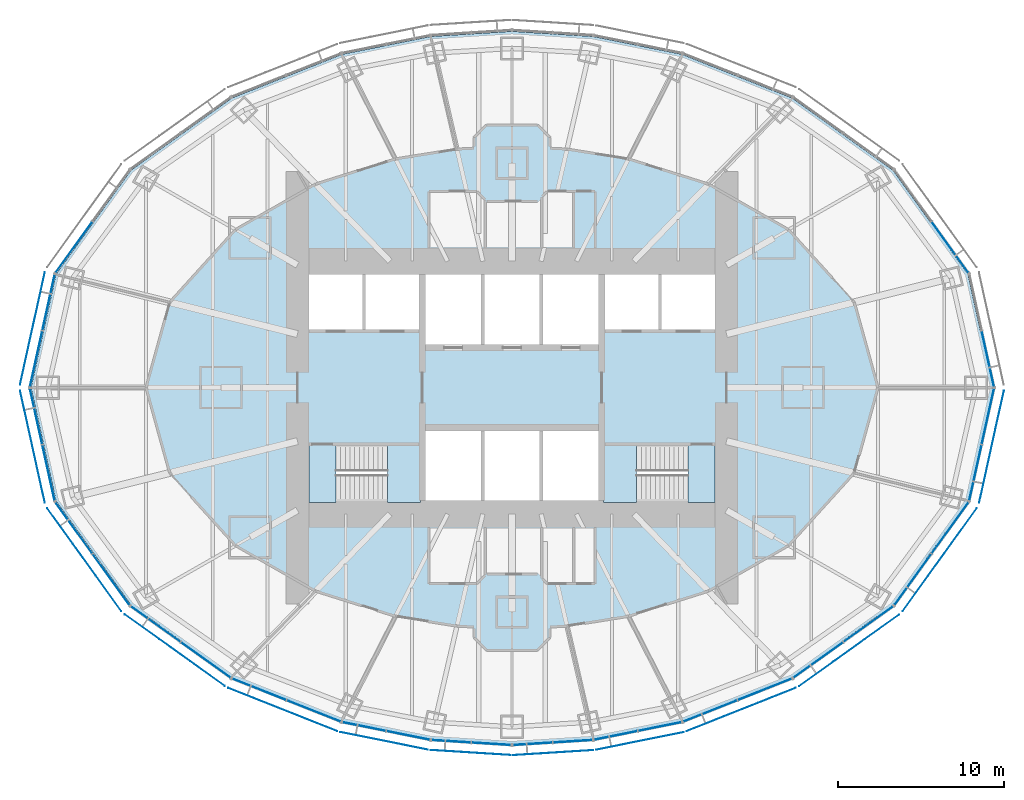
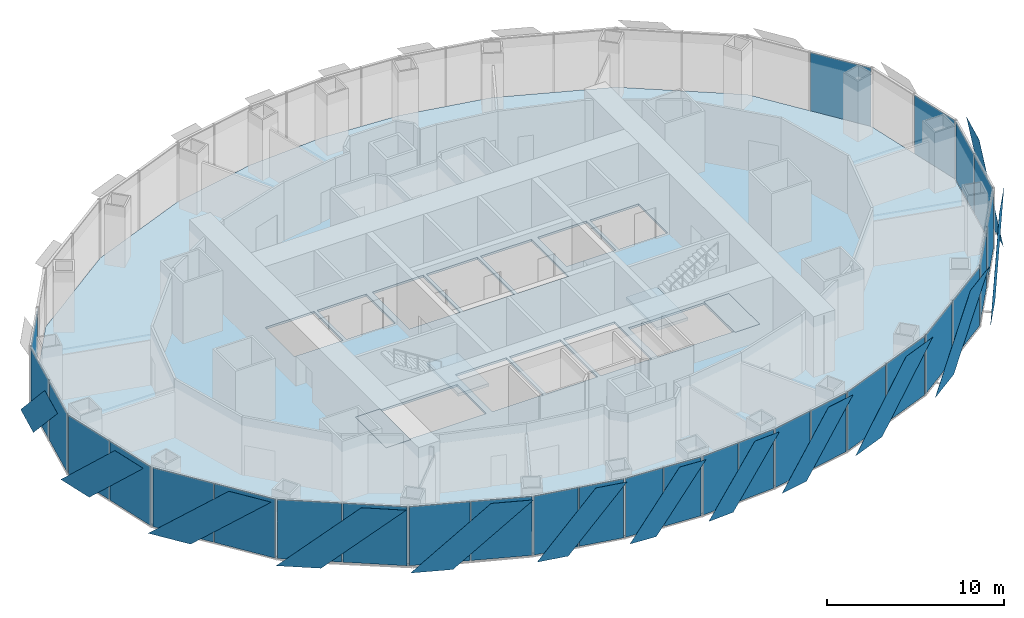
# One storey, part 9 of 18: 42 plates, 5 slabs, 18 elements without a shape of their own.
"""IFC4 building model written with IfcOpenShell, lengths in metres."""

from ifc_helpers import new_model, si_unit, direction, frame, origin, origin_2d, place, context, subcontext, project, spatial, polyline, rectangle, outline, extrude, material, layer, layer_set, type_object, element, aggregate, save


model = new_model("IFC4")

# Units and contexts
model_context = context("Model", 3, precision=1e-05, world=origin(), true_north=direction((0.0, 1.0)))
body_context = subcontext(model_context, "Body", "Model", "MODEL_VIEW")
ifc_project = project(units=[si_unit("LENGTHUNIT", "METRE"), si_unit("AREAUNIT", "SQUARE_METRE"), si_unit("VOLUMEUNIT", "CUBIC_METRE"), si_unit("PLANEANGLEUNIT", "RADIAN"), si_unit("MASSUNIT", "GRAM", prefix="KILO")], contexts=[model_context])

# Site, building, storey
site_placement = place(None, origin())
site = spatial("IfcSite", under=ifc_project, at=site_placement, CompositionType="ELEMENT")
building_placement = place(site_placement, origin())
building = spatial("IfcBuilding", under=site, at=building_placement, Name="Lantaw Convention Tower", CompositionType="ELEMENT")
storey_placement = place(building_placement, frame((0.0, 0.0, 167.800048828125)))
storey = spatial("IfcBuildingStorey", under=building, at=storey_placement, Name="L39", CompositionType="ELEMENT", Elevation=167.800048828125)

# Curtain wall, plate
ifc_material_1 = material(Name="Aluminium framed curtain wall", Category="aluminium")
curtain_wall_type = type_object("IfcCurtainWallType", Name="Office curtain wall low rise, pale aluminium", PredefinedType="USERDEFINED", material=ifc_material_1)
curtain_wall_1_placement = place(storey_placement, origin())
curtain_wall_1 = element("IfcCurtainWall", 1, at=curtain_wall_1_placement, inside=storey, type_object=curtain_wall_type, Name="Office curtain wall low rise, pale aluminium L39", ObjectType="UNITISED CURTAIN WALL", PredefinedType="USERDEFINED")
ifc_material_2 = material(Name="Clear insulating glass", Category="glass")
ifc_layer_1 = layer(ifc_material_2, 0.028076171875)
ifc_layer_set_1 = layer_set([ifc_layer_1], Name="CW-O1 panel 28")
plate_type_1 = type_object("IfcPlateType", Name="CW-O1 panel 28", PredefinedType="CURTAIN_PANEL", material=ifc_layer_set_1)
plate_1_placement = place(storey_placement, frame((28.618408203125, 1.729248046875, -0.0849609375), z_axis=(0.0, 0.0, 1.0), x_axis=(-0.215546166174, 0.9764936509, 0.0)))
plate_1 = element("IfcPlate", 2, at=plate_1_placement, type_object=plate_type_1, Name="CW-O1 panel 1.1", PredefinedType="CURTAIN_PANEL", context=body_context, shape_type="SweptSolid", body=[
    extrude(rectangle(XDim=3.41162109375, YDim=0.028076171875, at=origin_2d()), origin(), (0.0, 0.0, 1.0), 4.070068359375),
])
aggregate(curtain_wall_1, [plate_1])

curtain_wall_2_placement = place(storey_placement, origin())
curtain_wall_2 = element("IfcCurtainWall", 3, at=curtain_wall_2_placement, inside=storey, type_object=curtain_wall_type, Name="Office curtain wall low rise, pale aluminium L39", ObjectType="UNITISED CURTAIN WALL", PredefinedType="USERDEFINED")
plate_2_placement = place(storey_placement, frame((26.34814453125, 8.4345703125, -0.0849609375), z_axis=(0.0, 0.0, 1.0), x_axis=(-0.584512597221, 0.811384633629, 0.0)))
plate_2 = element("IfcPlate", 4, at=plate_2_placement, type_object=plate_type_1, Name="CW-O1 panel 1.1", PredefinedType="CURTAIN_PANEL", context=body_context, shape_type="SweptSolid", body=[
    extrude(rectangle(XDim=3.767333984375, YDim=0.028076171875, at=origin_2d()), origin(), (0.0, 0.0, 1.0), 4.070068359375),
])
aggregate(curtain_wall_2, [plate_2])

curtain_wall_3_placement = place(storey_placement, origin())
curtain_wall_3 = element("IfcCurtainWall", 5, at=curtain_wall_3_placement, inside=storey, type_object=curtain_wall_type, Name="Office curtain wall low rise, pale aluminium L39", ObjectType="UNITISED CURTAIN WALL", PredefinedType="USERDEFINED")
plate_3_placement = place(storey_placement, frame((-26.34814453125, 8.4345703125, -0.0849609375), z_axis=(0.0, 0.0, 1.0), x_axis=(-0.584512597221, -0.811384633629, 0.0)))
plate_3 = element("IfcPlate", 6, at=plate_3_placement, type_object=plate_type_1, Name="CW-O1 panel 2.1", PredefinedType="CURTAIN_PANEL", context=body_context, shape_type="SweptSolid", body=[
    extrude(rectangle(XDim=3.767333984375, YDim=0.028076171875, at=origin_2d()), origin(), (0.0, 0.0, 1.0), 4.070068359375),
])
aggregate(curtain_wall_3, [plate_3])

# Curtain wall, plates
curtain_wall_4_placement = place(storey_placement, origin())
curtain_wall_4 = element("IfcCurtainWall", 7, at=curtain_wall_4_placement, inside=storey, type_object=curtain_wall_type, Name="Office curtain wall low rise, pale aluminium L39", ObjectType="UNITISED CURTAIN WALL", PredefinedType="USERDEFINED")
plate_4_placement = place(storey_placement, frame((-27.868896484375, 5.1240234375, -0.0849609375), z_axis=(0.0, 0.0, 1.0), x_axis=(-0.215546166174, -0.9764936509, 0.0)))
plate_4 = element("IfcPlate", 8, at=plate_4_placement, type_object=plate_type_1, Name="CW-O1 panel 1.1", PredefinedType="CURTAIN_PANEL", context=body_context, shape_type="SweptSolid", body=[
    extrude(rectangle(XDim=3.41162109375, YDim=0.028076171875, at=origin_2d()), origin(), (0.0, 0.0, 1.0), 4.070068359375),
])
plate_5_placement = place(storey_placement, frame((-28.618408203125, 1.729248046875, -0.0849609375), z_axis=(0.0, 0.0, 1.0), x_axis=(-0.215546166174, -0.9764936509, 0.0)))
plate_5 = element("IfcPlate", 9, at=plate_5_placement, type_object=plate_type_1, Name="CW-O1 panel 2.1", PredefinedType="CURTAIN_PANEL", context=body_context, shape_type="SweptSolid", body=[
    extrude(rectangle(XDim=3.41162109375, YDim=0.028076171875, at=origin_2d()), origin(), (0.0, 0.0, 1.0), 4.070068359375),
])
aggregate(curtain_wall_4, [plate_4, plate_5])

curtain_wall_5_placement = place(storey_placement, origin())
curtain_wall_5 = element("IfcCurtainWall", 10, at=curtain_wall_5_placement, inside=storey, type_object=curtain_wall_type, Name="Office curtain wall low rise, pale aluminium L39", ObjectType="UNITISED CURTAIN WALL", PredefinedType="USERDEFINED")
plate_6_placement = place(storey_placement, frame((-28.618408203125, -1.729248046875, -0.0849609375), z_axis=(0.0, 0.0, 1.0), x_axis=(0.215546166174, -0.9764936509, 0.0)))
plate_6 = element("IfcPlate", 11, at=plate_6_placement, type_object=plate_type_1, Name="CW-O1 panel 1.1", PredefinedType="CURTAIN_PANEL", context=body_context, shape_type="SweptSolid", body=[
    extrude(rectangle(XDim=3.41162109375, YDim=0.028076171875, at=origin_2d()), origin(), (0.0, 0.0, 1.0), 4.070068359375),
])
plate_7_placement = place(storey_placement, frame((-27.868896484375, -5.1240234375, -0.0849609375), z_axis=(0.0, 0.0, 1.0), x_axis=(0.215546166174, -0.9764936509, 0.0)))
plate_7 = element("IfcPlate", 12, at=plate_7_placement, type_object=plate_type_1, Name="CW-O1 panel 2.1", PredefinedType="CURTAIN_PANEL", context=body_context, shape_type="SweptSolid", body=[
    extrude(rectangle(XDim=3.41162109375, YDim=0.028076171875, at=origin_2d()), origin(), (0.0, 0.0, 1.0), 4.070068359375),
])
aggregate(curtain_wall_5, [plate_6, plate_7])

curtain_wall_6_placement = place(storey_placement, origin())
curtain_wall_6 = element("IfcCurtainWall", 13, at=curtain_wall_6_placement, inside=storey, type_object=curtain_wall_type, Name="Office curtain wall low rise, pale aluminium L39", ObjectType="UNITISED CURTAIN WALL", PredefinedType="USERDEFINED")
plate_8_placement = place(storey_placement, frame((-26.34814453125, -8.4345703125, -0.0849609375), z_axis=(0.0, 0.0, 1.0), x_axis=(0.584512597221, -0.811384633629, 0.0)))
plate_8 = element("IfcPlate", 14, at=plate_8_placement, type_object=plate_type_1, Name="CW-O1 panel 1.1", PredefinedType="CURTAIN_PANEL", context=body_context, shape_type="SweptSolid", body=[
    extrude(rectangle(XDim=3.767333984375, YDim=0.028076171875, at=origin_2d()), origin(), (0.0, 0.0, 1.0), 4.070068359375),
])
plate_9_placement = place(storey_placement, frame((-24.108154296875, -11.5439453125, -0.0849609375), z_axis=(0.0, 0.0, 1.0), x_axis=(0.584512597221, -0.811384633629, 0.0)))
plate_9 = element("IfcPlate", 15, at=plate_9_placement, type_object=plate_type_1, Name="CW-O1 panel 2.1", PredefinedType="CURTAIN_PANEL", context=body_context, shape_type="SweptSolid", body=[
    extrude(rectangle(XDim=3.767333984375, YDim=0.028076171875, at=origin_2d()), origin(), (0.0, 0.0, 1.0), 4.070068359375),
])
aggregate(curtain_wall_6, [plate_8, plate_9])

curtain_wall_7_placement = place(storey_placement, origin())
curtain_wall_7 = element("IfcCurtainWall", 16, at=curtain_wall_7_placement, inside=storey, type_object=curtain_wall_type, Name="Office curtain wall low rise, pale aluminium L39", ObjectType="UNITISED CURTAIN WALL", PredefinedType="USERDEFINED")
plate_10_placement = place(storey_placement, frame((-21.43408203125, -14.2236328125, -0.0849609375), z_axis=(0.0, 0.0, 1.0), x_axis=(0.813208325995, -0.581972695693, 0.0)))
plate_10 = element("IfcPlate", 17, at=plate_10_placement, type_object=plate_type_1, Name="CW-O1 panel 1.1", PredefinedType="CURTAIN_PANEL", context=body_context, shape_type="SweptSolid", body=[
    extrude(rectangle(XDim=3.645263671875, YDim=0.028076171875, at=origin_2d()), origin(), (0.0, 0.0, 1.0), 4.070068359375),
])
plate_11_placement = place(storey_placement, frame((-18.416748046875, -16.383056640625, -0.0849609375), z_axis=(0.0, 0.0, 1.0), x_axis=(0.813208325995, -0.581972695693, 0.0)))
plate_11 = element("IfcPlate", 18, at=plate_11_placement, type_object=plate_type_1, Name="CW-O1 panel 2.1", PredefinedType="CURTAIN_PANEL", context=body_context, shape_type="SweptSolid", body=[
    extrude(rectangle(XDim=3.645263671875, YDim=0.028076171875, at=origin_2d()), origin(), (0.0, 0.0, 1.0), 4.070068359375),
])
aggregate(curtain_wall_7, [plate_10, plate_11])

curtain_wall_8_placement = place(storey_placement, origin())
curtain_wall_8 = element("IfcCurtainWall", 19, at=curtain_wall_8_placement, inside=storey, type_object=curtain_wall_type, Name="Office curtain wall low rise, pale aluminium L39", ObjectType="UNITISED CURTAIN WALL", PredefinedType="USERDEFINED")
plate_12_placement = place(storey_placement, frame((-15.208251953125, -18.145263671875, -0.0849609375), z_axis=(0.0, 0.0, 1.0), x_axis=(0.929547687544, -0.368701907483, 0.0)))
plate_12 = element("IfcPlate", 20, at=plate_12_placement, type_object=plate_type_1, Name="CW-O1 panel 1.1", PredefinedType="CURTAIN_PANEL", context=body_context, shape_type="SweptSolid", body=[
    extrude(rectangle(XDim=3.470703125, YDim=0.028076171875, at=origin_2d()), origin(), (0.0, 0.0, 1.0), 4.070068359375),
])
plate_13_placement = place(storey_placement, frame((-11.921630859375, -19.448974609375, -0.0849609375), z_axis=(0.0, 0.0, 1.0), x_axis=(0.929547687544, -0.368701907483, 0.0)))
plate_13 = element("IfcPlate", 21, at=plate_13_placement, type_object=plate_type_1, Name="CW-O1 panel 2.1", PredefinedType="CURTAIN_PANEL", context=body_context, shape_type="SweptSolid", body=[
    extrude(rectangle(XDim=3.470703125, YDim=0.028076171875, at=origin_2d()), origin(), (0.0, 0.0, 1.0), 4.070068359375),
])
aggregate(curtain_wall_8, [plate_12, plate_13])

curtain_wall_9_placement = place(storey_placement, origin())
curtain_wall_9 = element("IfcCurtainWall", 22, at=curtain_wall_9_placement, inside=storey, type_object=curtain_wall_type, Name="Office curtain wall low rise, pale aluminium L39", ObjectType="UNITISED CURTAIN WALL", PredefinedType="USERDEFINED")
plate_14_placement = place(storey_placement, frame((-8.893310546875, -20.3857421875, -0.0849609375), z_axis=(0.0, 0.0, 1.0), x_axis=(0.980301514912, -0.197506809659, 0.0)))
plate_14 = element("IfcPlate", 23, at=plate_14_placement, type_object=plate_type_1, Name="CW-O1 panel 1.1", PredefinedType="CURTAIN_PANEL", context=body_context, shape_type="SweptSolid", body=[
    extrude(rectangle(XDim=2.634033203125, YDim=0.028076171875, at=origin_2d()), origin(), (0.0, 0.0, 1.0), 4.070068359375),
])
plate_15_placement = place(storey_placement, frame((-6.247314453125, -20.9189453125, -0.0849609375), z_axis=(0.0, 0.0, 1.0), x_axis=(0.980301514912, -0.197506809659, 0.0)))
plate_15 = element("IfcPlate", 24, at=plate_15_placement, type_object=plate_type_1, Name="CW-O1 panel 2.1", PredefinedType="CURTAIN_PANEL", context=body_context, shape_type="SweptSolid", body=[
    extrude(rectangle(XDim=2.634033203125, YDim=0.028076171875, at=origin_2d()), origin(), (0.0, 0.0, 1.0), 4.070068359375),
])
aggregate(curtain_wall_9, [plate_14, plate_15])

curtain_wall_10_placement = place(storey_placement, origin())
curtain_wall_10 = element("IfcCurtainWall", 25, at=curtain_wall_10_placement, inside=storey, type_object=curtain_wall_type, Name="Office curtain wall low rise, pale aluminium L39", ObjectType="UNITISED CURTAIN WALL", PredefinedType="USERDEFINED")
plate_16_placement = place(storey_placement, frame((-3.653076171875, -21.269775390625, -0.0849609375), z_axis=(0.0, 0.0, 1.0), x_axis=(0.998022035978, -0.062865059466, 0.0)))
plate_16 = element("IfcPlate", 26, at=plate_16_placement, type_object=plate_type_1, Name="CW-O1 panel 1.1", PredefinedType="CURTAIN_PANEL", context=body_context, shape_type="SweptSolid", body=[
    extrude(rectangle(XDim=2.353515625, YDim=0.028076171875, at=origin_2d()), origin(), (0.0, 0.0, 1.0), 4.070068359375),
])
plate_17_placement = place(storey_placement, frame((-1.2392578125, -21.421875, -0.0849609375), z_axis=(0.0, 0.0, 1.0), x_axis=(0.998022035978, -0.062865059466, 0.0)))
plate_17 = element("IfcPlate", 27, at=plate_17_placement, type_object=plate_type_1, Name="CW-O1 panel 2.1", PredefinedType="CURTAIN_PANEL", context=body_context, shape_type="SweptSolid", body=[
    extrude(rectangle(XDim=2.353515625, YDim=0.028076171875, at=origin_2d()), origin(), (0.0, 0.0, 1.0), 4.070068359375),
])
aggregate(curtain_wall_10, [plate_16, plate_17])

curtain_wall_11_placement = place(storey_placement, origin())
curtain_wall_11 = element("IfcCurtainWall", 28, at=curtain_wall_11_placement, inside=storey, type_object=curtain_wall_type, Name="Office curtain wall low rise, pale aluminium L39", ObjectType="UNITISED CURTAIN WALL", PredefinedType="USERDEFINED")
plate_18_placement = place(storey_placement, frame((1.2392578125, -21.421875, -0.0849609375), z_axis=(0.0, 0.0, 1.0), x_axis=(0.998022035978, 0.062865059466, 0.0)))
plate_18 = element("IfcPlate", 29, at=plate_18_placement, type_object=plate_type_1, Name="CW-O1 panel 1.1", PredefinedType="CURTAIN_PANEL", context=body_context, shape_type="SweptSolid", body=[
    extrude(rectangle(XDim=2.353515625, YDim=0.028076171875, at=origin_2d()), origin(), (0.0, 0.0, 1.0), 4.070068359375),
])
plate_19_placement = place(storey_placement, frame((3.653076171875, -21.269775390625, -0.0849609375), z_axis=(0.0, 0.0, 1.0), x_axis=(0.998022035978, 0.062865059466, 0.0)))
plate_19 = element("IfcPlate", 30, at=plate_19_placement, type_object=plate_type_1, Name="CW-O1 panel 2.1", PredefinedType="CURTAIN_PANEL", context=body_context, shape_type="SweptSolid", body=[
    extrude(rectangle(XDim=2.353515625, YDim=0.028076171875, at=origin_2d()), origin(), (0.0, 0.0, 1.0), 4.070068359375),
])
aggregate(curtain_wall_11, [plate_18, plate_19])

curtain_wall_12_placement = place(storey_placement, origin())
curtain_wall_12 = element("IfcCurtainWall", 31, at=curtain_wall_12_placement, inside=storey, type_object=curtain_wall_type, Name="Office curtain wall low rise, pale aluminium L39", ObjectType="UNITISED CURTAIN WALL", PredefinedType="USERDEFINED")
plate_20_placement = place(storey_placement, frame((6.247314453125, -20.9189453125, -0.0849609375), z_axis=(0.0, 0.0, 1.0), x_axis=(0.980301514912, 0.197506809659, 0.0)))
plate_20 = element("IfcPlate", 32, at=plate_20_placement, type_object=plate_type_1, Name="CW-O1 panel 1.1", PredefinedType="CURTAIN_PANEL", context=body_context, shape_type="SweptSolid", body=[
    extrude(rectangle(XDim=2.634033203125, YDim=0.028076171875, at=origin_2d()), origin(), (0.0, 0.0, 1.0), 4.070068359375),
])
plate_21_placement = place(storey_placement, frame((8.893310546875, -20.3857421875, -0.0849609375), z_axis=(0.0, 0.0, 1.0), x_axis=(0.980301514912, 0.197506809659, 0.0)))
plate_21 = element("IfcPlate", 33, at=plate_21_placement, type_object=plate_type_1, Name="CW-O1 panel 2.1", PredefinedType="CURTAIN_PANEL", context=body_context, shape_type="SweptSolid", body=[
    extrude(rectangle(XDim=2.634033203125, YDim=0.028076171875, at=origin_2d()), origin(), (0.0, 0.0, 1.0), 4.070068359375),
])
aggregate(curtain_wall_12, [plate_20, plate_21])

curtain_wall_13_placement = place(storey_placement, origin())
curtain_wall_13 = element("IfcCurtainWall", 34, at=curtain_wall_13_placement, inside=storey, type_object=curtain_wall_type, Name="Office curtain wall low rise, pale aluminium L39", ObjectType="UNITISED CURTAIN WALL", PredefinedType="USERDEFINED")
plate_22_placement = place(storey_placement, frame((11.921630859375, -19.448974609375, -0.0849609375), z_axis=(0.0, 0.0, 1.0), x_axis=(0.929547687544, 0.368701907483, 0.0)))
plate_22 = element("IfcPlate", 35, at=plate_22_placement, type_object=plate_type_1, Name="CW-O1 panel 1.1", PredefinedType="CURTAIN_PANEL", context=body_context, shape_type="SweptSolid", body=[
    extrude(rectangle(XDim=3.470703125, YDim=0.028076171875, at=origin_2d()), origin(), (0.0, 0.0, 1.0), 4.070068359375),
])
plate_23_placement = place(storey_placement, frame((15.208251953125, -18.145263671875, -0.0849609375), z_axis=(0.0, 0.0, 1.0), x_axis=(0.929547687544, 0.368701907483, 0.0)))
plate_23 = element("IfcPlate", 36, at=plate_23_placement, type_object=plate_type_1, Name="CW-O1 panel 2.1", PredefinedType="CURTAIN_PANEL", context=body_context, shape_type="SweptSolid", body=[
    extrude(rectangle(XDim=3.470703125, YDim=0.028076171875, at=origin_2d()), origin(), (0.0, 0.0, 1.0), 4.070068359375),
])
aggregate(curtain_wall_13, [plate_22, plate_23])

curtain_wall_14_placement = place(storey_placement, origin())
curtain_wall_14 = element("IfcCurtainWall", 37, at=curtain_wall_14_placement, inside=storey, type_object=curtain_wall_type, Name="Office curtain wall low rise, pale aluminium L39", ObjectType="UNITISED CURTAIN WALL", PredefinedType="USERDEFINED")
plate_24_placement = place(storey_placement, frame((18.416748046875, -16.383056640625, -0.0849609375), z_axis=(0.0, 0.0, 1.0), x_axis=(0.813208325995, 0.581972695693, 0.0)))
plate_24 = element("IfcPlate", 38, at=plate_24_placement, type_object=plate_type_1, Name="CW-O1 panel 1.1", PredefinedType="CURTAIN_PANEL", context=body_context, shape_type="SweptSolid", body=[
    extrude(rectangle(XDim=3.645263671875, YDim=0.028076171875, at=origin_2d()), origin(), (0.0, 0.0, 1.0), 4.070068359375),
])
plate_25_placement = place(storey_placement, frame((21.43408203125, -14.2236328125, -0.0849609375), z_axis=(0.0, 0.0, 1.0), x_axis=(0.813208325995, 0.581972695693, 0.0)))
plate_25 = element("IfcPlate", 39, at=plate_25_placement, type_object=plate_type_1, Name="CW-O1 panel 2.1", PredefinedType="CURTAIN_PANEL", context=body_context, shape_type="SweptSolid", body=[
    extrude(rectangle(XDim=3.645263671875, YDim=0.028076171875, at=origin_2d()), origin(), (0.0, 0.0, 1.0), 4.070068359375),
])
aggregate(curtain_wall_14, [plate_24, plate_25])

curtain_wall_15_placement = place(storey_placement, origin())
curtain_wall_15 = element("IfcCurtainWall", 40, at=curtain_wall_15_placement, inside=storey, type_object=curtain_wall_type, Name="Office curtain wall low rise, pale aluminium L39", ObjectType="UNITISED CURTAIN WALL", PredefinedType="USERDEFINED")
plate_26_placement = place(storey_placement, frame((24.108154296875, -11.5439453125, -0.0849609375), z_axis=(0.0, 0.0, 1.0), x_axis=(0.584512597221, 0.811384633629, 0.0)))
plate_26 = element("IfcPlate", 41, at=plate_26_placement, type_object=plate_type_1, Name="CW-O1 panel 1.1", PredefinedType="CURTAIN_PANEL", context=body_context, shape_type="SweptSolid", body=[
    extrude(rectangle(XDim=3.767333984375, YDim=0.028076171875, at=origin_2d()), origin(), (0.0, 0.0, 1.0), 4.070068359375),
])
plate_27_placement = place(storey_placement, frame((26.34814453125, -8.4345703125, -0.0849609375), z_axis=(0.0, 0.0, 1.0), x_axis=(0.584512597221, 0.811384633629, 0.0)))
plate_27 = element("IfcPlate", 42, at=plate_27_placement, type_object=plate_type_1, Name="CW-O1 panel 2.1", PredefinedType="CURTAIN_PANEL", context=body_context, shape_type="SweptSolid", body=[
    extrude(rectangle(XDim=3.767333984375, YDim=0.028076171875, at=origin_2d()), origin(), (0.0, 0.0, 1.0), 4.070068359375),
])
aggregate(curtain_wall_15, [plate_26, plate_27])

curtain_wall_16_placement = place(storey_placement, origin())
curtain_wall_16 = element("IfcCurtainWall", 43, at=curtain_wall_16_placement, inside=storey, type_object=curtain_wall_type, Name="Office curtain wall low rise, pale aluminium L39", ObjectType="UNITISED CURTAIN WALL", PredefinedType="USERDEFINED")
plate_28_placement = place(storey_placement, frame((27.868896484375, -5.1240234375, -0.0849609375), z_axis=(0.0, 0.0, 1.0), x_axis=(0.215546166174, 0.9764936509, 0.0)))
plate_28 = element("IfcPlate", 44, at=plate_28_placement, type_object=plate_type_1, Name="CW-O1 panel 1.1", PredefinedType="CURTAIN_PANEL", context=body_context, shape_type="SweptSolid", body=[
    extrude(rectangle(XDim=3.41162109375, YDim=0.028076171875, at=origin_2d()), origin(), (0.0, 0.0, 1.0), 4.070068359375),
])
plate_29_placement = place(storey_placement, frame((28.618408203125, -1.729248046875, -0.0849609375), z_axis=(0.0, 0.0, 1.0), x_axis=(0.215546166174, 0.9764936509, 0.0)))
plate_29 = element("IfcPlate", 45, at=plate_29_placement, type_object=plate_type_1, Name="CW-O1 panel 2.1", PredefinedType="CURTAIN_PANEL", context=body_context, shape_type="SweptSolid", body=[
    extrude(rectangle(XDim=3.41162109375, YDim=0.028076171875, at=origin_2d()), origin(), (0.0, 0.0, 1.0), 4.070068359375),
])
aggregate(curtain_wall_16, [plate_28, plate_29])

# Slab
ifc_material_3 = material(Name="Concrete C35/45", Category="concrete")
ifc_layer_2 = layer(ifc_material_3, 0.14990234375)
ifc_layer_set_2 = layer_set([ifc_layer_2], Name="Floor slab 150")
slab_type_1 = type_object("IfcSlabType", Name="Floor slab 150", PredefinedType="FLOOR", material=ifc_layer_set_2)
slab_1_placement = place(storey_placement, frame((0.0, 0.0, -0.150146484375)))
element("IfcSlab", 46, at=slab_1_placement, inside=storey, type_object=slab_type_1, Name="L39 floor slab", PredefinedType="FLOOR", context=body_context, shape_type="SweptSolid", body=[
    extrude(outline(polyline([(27.417236328125, -6.822021484375), (28.923095703125, 0.0), (27.417236328125, 6.822021484375), (22.915283203125, 13.0712890625), (16.845458984375, 17.415283203125), (10.2265625, 20.04052734375), (4.8828125, 21.1171875), (0.0, 21.4248046875), (-4.8828125, 21.1171875), (-10.2265625, 20.04052734375), (-16.845458984375, 17.415283203125), (-22.915283203125, 13.0712890625), (-27.417236328125, 6.822021484375), (-28.923095703125, 0.0), (-27.417236328125, -6.822021484375), (-22.915283203125, -13.0712890625), (-16.845458984375, -17.415283203125), (-10.2265625, -20.04052734375), (-4.8828125, -21.1171875), (0.0, -21.4248046875), (4.8828125, -21.1171875), (10.2265625, -20.04052734375), (16.845458984375, -17.415283203125), (22.915283203125, -13.0712890625), (27.417236328125, -6.822021484375)]), holes=[polyline([(-5.60009765625, -3.5), (-12.199951171875, -3.5), (-12.199951171875, -6.800048828125), (-5.60009765625, -6.800048828125), (-5.60009765625, -3.5)]), polyline([(-1.86669921875, -6.800048828125), (-1.86669921875, -2.60009765625), (-5.199951171875, -2.60009765625), (-5.199951171875, -6.800048828125), (-1.86669921875, -6.800048828125)]), polyline([(-1.86669921875, 2.60009765625), (-1.86669921875, 6.800048828125), (-5.199951171875, 6.800048828125), (-5.199951171875, 2.60009765625), (-1.86669921875, 2.60009765625)]), polyline([(1.666748046875, 6.800048828125), (-1.666748046875, 6.800048828125), (-1.666748046875, 2.60009765625), (1.666748046875, 2.60009765625), (1.666748046875, 6.800048828125)]), polyline([(-9.0, 3.5), (-9.0, 6.800048828125), (-12.199951171875, 6.800048828125), (-12.199951171875, 3.5), (-9.0, 3.5)]), polyline([(-5.60009765625, 3.5), (-5.60009765625, 6.800048828125), (-8.800048828125, 6.800048828125), (-8.800048828125, 3.5), (-5.60009765625, 3.5)]), polyline([(12.199951171875, -3.5), (5.60009765625, -3.5), (5.60009765625, -6.800048828125), (12.199951171875, -6.800048828125), (12.199951171875, -3.5)]), polyline([(1.666748046875, -6.800048828125), (1.666748046875, -2.60009765625), (-1.666748046875, -2.60009765625), (-1.666748046875, -6.800048828125), (1.666748046875, -6.800048828125)]), polyline([(5.199951171875, -6.800048828125), (5.199951171875, -2.60009765625), (1.86669921875, -2.60009765625), (1.86669921875, -6.800048828125), (5.199951171875, -6.800048828125)]), polyline([(5.199951171875, 6.800048828125), (1.86669921875, 6.800048828125), (1.86669921875, 2.60009765625), (5.199951171875, 2.60009765625), (5.199951171875, 6.800048828125)]), polyline([(8.800048828125, 3.5), (8.800048828125, 6.800048828125), (5.60009765625, 6.800048828125), (5.60009765625, 3.5), (8.800048828125, 3.5)]), polyline([(12.199951171875, 3.5), (12.199951171875, 6.800048828125), (9.0, 6.800048828125), (9.0, 3.5), (12.199951171875, 3.5)])]), origin(), (0.0, 0.0, 1.0), 0.150146484375),
])

# Plates
ifc_material_4 = material(Name="Perforated aluminium sheet, pale silver finish", Category="aluminium")
ifc_layer_3 = layer(ifc_material_4, 0.006103515625)
ifc_layer_set_3 = layer_set([ifc_layer_3], Name="Perforated aluminium solar SCREEN panel")
plate_type_2 = type_object("IfcPlateType", Name="Perforated aluminium solar SCREEN panel", PredefinedType="SHEET", material=ifc_layer_set_3)
plate_30_placement = place(storey_placement, frame((-28.08984375, 6.93505859375, -0.175048828125), z_axis=(0.976497812463, -0.215527309509, 3.332717e-05), x_axis=(-0.215527309629, -0.976497813005, -1.665e-09)))
element("IfcPlate", 47, at=plate_30_placement, inside=storey, type_object=plate_type_2, Name="Solar SCREEN panel", PredefinedType="SHEET", context=body_context, shape_type="SweptSolid", body=[
    extrude(outline(polyline([(0.0, 0.0), (2.386131748388921, 0.0), (6.918240176095255, -4.340087904553372), (4.532055808734257, -4.3400878966079945), (0.0, 0.0)])), origin(), (0.0, 0.0, -1.0), 0.006103515625),
])
plate_31_placement = place(storey_placement, frame((-29.5810546875, -0.179443359375, -0.175048828125), z_axis=(-0.976497812463, -0.215527309509, 3.332717e-05), x_axis=(0.215527309629, -0.976497813005, 1.665e-09)))
element("IfcPlate", 48, at=plate_31_placement, inside=storey, type_object=plate_type_2, Name="Solar SCREEN panel", PredefinedType="SHEET", context=body_context, shape_type="SweptSolid", body=[
    extrude(outline(polyline([(0.0, 0.0), (2.3861843673609986, 3.3881317890172014e-21), (6.918240190546627, 4.340087881517419), (4.532108442157707, 4.340087889462621), (0.0, 0.0)])), origin(), (0.0, 0.0, -1.0), 0.006103515625),
])
plate_32_placement = place(storey_placement, frame((-27.94970703125, -7.248046875, -0.175048828125), z_axis=(-0.81139512159, -0.584498037099, 3.5886784e-05), x_axis=(0.584498037475, -0.811395122112, -9.74e-10)))
element("IfcPlate", 49, at=plate_32_placement, inside=storey, type_object=plate_type_2, Name="Solar SCREEN panel", PredefinedType="SHEET", context=body_context, shape_type="SweptSolid", body=[
    extrude(outline(polyline([(0.0, 0.0), (2.628222178575422, -6.776263578034403e-21), (7.629778257969264, 4.340087900852944), (5.001754173906077, 4.340087895732103), (0.0, 0.0)])), origin(), (0.0, 0.0, -1.0), 0.006103515625),
])
plate_33_placement = place(storey_placement, frame((-23.281005859375, -13.64697265625, -0.175048828125), z_axis=(-0.582000183937, -0.813188653244, 1.1537145e-05), x_axis=(0.813188653298, -0.582000183975, 0.0)))
element("IfcPlate", 50, at=plate_33_placement, inside=storey, type_object=plate_type_2, Name="Solar SCREEN panel", PredefinedType="SHEET", context=body_context, shape_type="SweptSolid", body=[
    extrude(outline(polyline([(0.0, 0.0), (2.5450183911586484, 0.0), (7.385531276904658, 4.340087890913846), (4.840512885746009, 4.340087890913846), (0.0, 0.0)])), origin(), (0.0, 0.0, -1.0), 0.006103515625),
])
plate_34_placement = place(storey_placement, frame((-17.05859375, -18.063232421875, -0.175048828125), z_axis=(0.368708915367, 0.929544907797, 1.086705e-05), x_axis=(0.929544907851, -0.368708915389, 7.1e-10)))
element("IfcPlate", 51, at=plate_34_placement, inside=storey, type_object=plate_type_2, Name="Solar SCREEN panel", PredefinedType="SHEET", context=body_context, shape_type="SweptSolid", body=[
    extrude(outline(polyline([(0.0, 0.0), (2.4263803793049097, -1.6940658945086007e-21), (7.036549629566982, -4.340087885886879), (4.61003232741235, -4.340087889331358), (0.0, 0.0)])), origin(), (0.0, 0.0, -1.0), 0.006103515625),
])
plate_35_placement = place(storey_placement, frame((-10.318603515625, -20.716796875, -0.175048828125), z_axis=(-0.197556725442, -0.980291455983, 3.9483498e-05), x_axis=(0.980291456747, -0.197556725596, 0.0)))
element("IfcPlate", 52, at=plate_35_placement, inside=storey, type_object=plate_type_2, Name="Solar SCREEN panel", PredefinedType="SHEET", context=body_context, shape_type="SweptSolid", body=[
    extrude(outline(polyline([(0.0, 0.0), (1.8574075788555457, 3.3881317890172014e-21), (5.362987026845185, 4.340087894007983), (3.505579447989639, 4.340087894007983), (0.0, 0.0)])), origin(), (0.0, 0.0, -1.0), 0.006103515625),
])
plate_36_placement = place(storey_placement, frame((-4.880615234375, -21.7998046875, -0.175048828125), z_axis=(-0.062838799866, -0.998023689713, 1.755059e-06), x_axis=(0.998023689715, -0.062838799866, -8e-12)))
element("IfcPlate", 53, at=plate_36_placement, inside=storey, type_object=plate_type_2, Name="Solar SCREEN panel", PredefinedType="SHEET", context=body_context, shape_type="SweptSolid", body=[
    extrude(outline(polyline([(0.0, 0.0), (1.6666243269452135, 2.6469779601696886e-23), (4.802214797186689, 4.340087890670476), (3.135346812114104, 4.340087890643548), (0.0, 0.0)])), origin(), (0.0, 0.0, -1.0), 0.006103515625),
])
plate_37_placement = place(storey_placement, frame((0.087890625, -22.1015625, -0.175048828125), z_axis=(-0.062838799866, 0.998023689713, 1.755059e-06), x_axis=(0.998023689715, 0.062838799866, 8e-12)))
element("IfcPlate", 54, at=plate_37_placement, inside=storey, type_object=plate_type_2, Name="Solar SCREEN panel", PredefinedType="SHEET", context=body_context, shape_type="SweptSolid", body=[
    extrude(outline(polyline([(0.0, 0.0), (1.6668679850725854, -5.293955920339377e-23), (4.802214797256801, -4.340087890592899), (3.1355904703115876, -4.340087890619822), (0.0, 0.0)])), origin(), (0.0, 0.0, -1.0), 0.006103515625),
])
plate_38_placement = place(storey_placement, frame((5.061279296875, -21.776123046875, -0.175048828125), z_axis=(-0.197556725442, 0.980291455983, 3.9483498e-05), x_axis=(0.980291456747, 0.197556725596, 0.0)))
element("IfcPlate", 55, at=plate_38_placement, inside=storey, type_object=plate_type_2, Name="Solar SCREEN panel", PredefinedType="SHEET", context=body_context, shape_type="SweptSolid", body=[
    extrude(outline(polyline([(0.0, 0.0), (1.8574075788555457, -3.3881317890172014e-21), (5.362987026845185, -4.340087894007983), (3.505579447989639, -4.340087894007983), (0.0, 0.0)])), origin(), (0.0, 0.0, -1.0), 0.006103515625),
])
plate_39_placement = place(storey_placement, frame((10.517822265625, -20.65771484375, -0.175048828125), z_axis=(0.368708915367, -0.929544907797, 1.086705e-05), x_axis=(0.929544907851, 0.368708915389, -7.1e-10)))
element("IfcPlate", 56, at=plate_39_placement, inside=storey, type_object=plate_type_2, Name="Solar SCREEN panel", PredefinedType="SHEET", context=body_context, shape_type="SweptSolid", body=[
    extrude(outline(polyline([(0.0, 0.0), (2.426517302154632, -1.6940658945086007e-21), (7.036549623406159, 4.340087895875372), (4.610169244101249, 4.340087892431086), (0.0, 0.0)])), origin(), (0.0, 0.0, -1.0), 0.006103515625),
])
plate_40_placement = place(storey_placement, frame((17.275146484375, -17.9453125, -0.175048828125), z_axis=(-0.582000183937, 0.813188653244, 1.1537145e-05), x_axis=(0.813188653298, 0.582000183975, 0.0)))
element("IfcPlate", 57, at=plate_40_placement, inside=storey, type_object=plate_type_2, Name="Solar SCREEN panel", PredefinedType="SHEET", context=body_context, shape_type="SweptSolid", body=[
    extrude(outline(polyline([(0.0, 0.0), (2.5450183911586484, 0.0), (7.385531276904658, -4.340087890913846), (4.840512885746009, -4.340087890913846), (0.0, 0.0)])), origin(), (0.0, 0.0, -1.0), 0.006103515625),
])
plate_41_placement = place(storey_placement, frame((23.489990234375, -13.438720703125, -0.175048828125), z_axis=(-0.81139512159, 0.584498037099, 3.5886784e-05), x_axis=(0.584498037475, 0.811395122112, 9.74e-10)))
element("IfcPlate", 58, at=plate_41_placement, inside=storey, type_object=plate_type_2, Name="Solar SCREEN panel", PredefinedType="SHEET", context=body_context, shape_type="SweptSolid", body=[
    extrude(outline(polyline([(0.0, 0.0), (2.6280240840631874, -6.776263578034403e-21), (7.6297782664261495, -4.340087885985926), (5.0015560878507275, -4.340087891107152), (0.0, 0.0)])), origin(), (0.0, 0.0, -1.0), 0.006103515625),
])
plate_42_placement = place(storey_placement, frame((28.08984375, -6.93505859375, -0.175048828125), z_axis=(-0.976497812463, 0.215527309509, 3.332717e-05), x_axis=(0.215527309629, 0.976497813005, -1.665e-09)))
element("IfcPlate", 59, at=plate_42_placement, inside=storey, type_object=plate_type_2, Name="Solar SCREEN panel", PredefinedType="SHEET", context=body_context, shape_type="SweptSolid", body=[
    extrude(outline(polyline([(0.0, 0.0), (2.386131748388921, 0.0), (6.918240176095255, -4.340087904553372), (4.532055808734257, -4.3400878966079945), (0.0, 0.0)])), origin(), (0.0, 0.0, -1.0), 0.006103515625),
])

# Stair, slabs
stair_type = type_object("IfcStairType", Name="Exit stair 1500 riser 175 in 2 flights", PredefinedType="HALF_TURN_STAIR", material=ifc_material_3)
stair_1_placement = place(storey_placement, origin())
stair_1 = element("IfcStair", 60, at=stair_1_placement, inside=storey, type_object=stair_type, Name="Exit stair S1 L39", PredefinedType="HALF_TURN_STAIR")
ifc_layer_4 = layer(ifc_material_3, 0.199951171875)
ifc_layer_set_4 = layer_set([ifc_layer_4], Name="Stair landing 200")
slab_type_2 = type_object("IfcSlabType", Name="Stair landing 200", PredefinedType="LANDING", material=ifc_layer_set_4)
slab_2_placement = place(storey_placement, frame((0.0, 0.0, -0.199951171875)))
slab_2 = element("IfcSlab", 61, at=slab_2_placement, type_object=slab_type_2, Name="S1 landing 1", PredefinedType="LANDING", context=body_context, shape_type="SweptSolid", body=[
    extrude(outline(polyline([(-12.199951171875, -6.89990234375), (-10.580078125, -6.89990234375), (-10.580078125, -3.39990234375), (-12.199951171875, -3.39990234375), (-12.199951171875, -6.89990234375)])), origin(), (0.0, 0.0, 1.0), 0.199951171875),
])
slab_3_placement = place(storey_placement, frame((0.0, 0.0, 1.89990234375)))
slab_3 = element("IfcSlab", 62, at=slab_3_placement, type_object=slab_type_2, Name="S1 landing 2", PredefinedType="LANDING", context=body_context, shape_type="SweptSolid", body=[
    extrude(outline(polyline([(-7.5, -6.89990234375), (-5.5, -6.89990234375), (-5.5, -3.39990234375), (-7.5, -3.39990234375), (-7.5, -6.89990234375)])), origin(), (0.0, 0.0, 1.0), 0.199951171875),
])
aggregate(stair_1, [slab_2, slab_3])

stair_2_placement = place(storey_placement, origin())
stair_2 = element("IfcStair", 63, at=stair_2_placement, inside=storey, type_object=stair_type, Name="Exit stair S2 L39", PredefinedType="HALF_TURN_STAIR")
slab_4_placement = place(storey_placement, frame((0.0, 0.0, -0.199951171875)))
slab_4 = element("IfcSlab", 64, at=slab_4_placement, type_object=slab_type_2, Name="S2 landing 1", PredefinedType="LANDING", context=body_context, shape_type="SweptSolid", body=[
    extrude(outline(polyline([(10.580078125, -6.89990234375), (12.199951171875, -6.89990234375), (12.199951171875, -3.39990234375), (10.580078125, -3.39990234375), (10.580078125, -6.89990234375)])), origin(), (0.0, 0.0, 1.0), 0.199951171875),
])
slab_5_placement = place(storey_placement, frame((0.0, 0.0, 1.89990234375)))
slab_5 = element("IfcSlab", 65, at=slab_5_placement, type_object=slab_type_2, Name="S2 landing 2", PredefinedType="LANDING", context=body_context, shape_type="SweptSolid", body=[
    extrude(outline(polyline([(5.5, -6.89990234375), (7.5, -6.89990234375), (7.5, -3.39990234375), (5.5, -3.39990234375), (5.5, -6.89990234375)])), origin(), (0.0, 0.0, 1.0), 0.199951171875),
])
aggregate(stair_2, [slab_4, slab_5])

save(model, "model.ifc")
